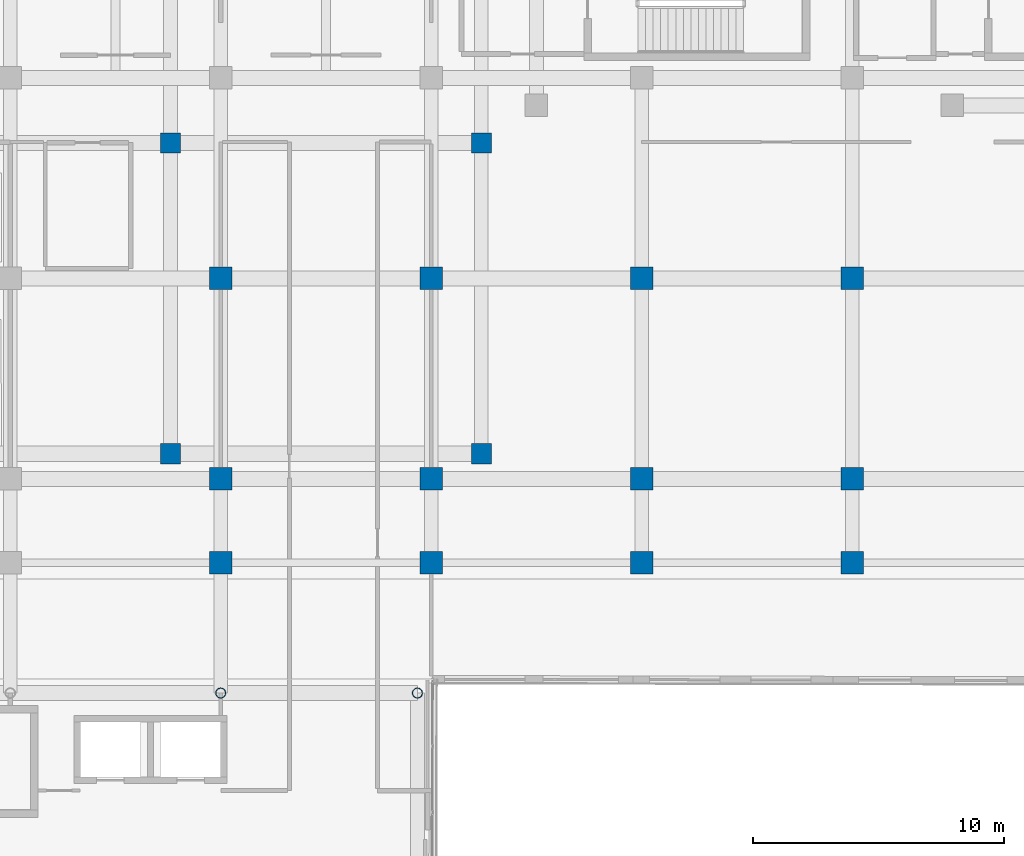
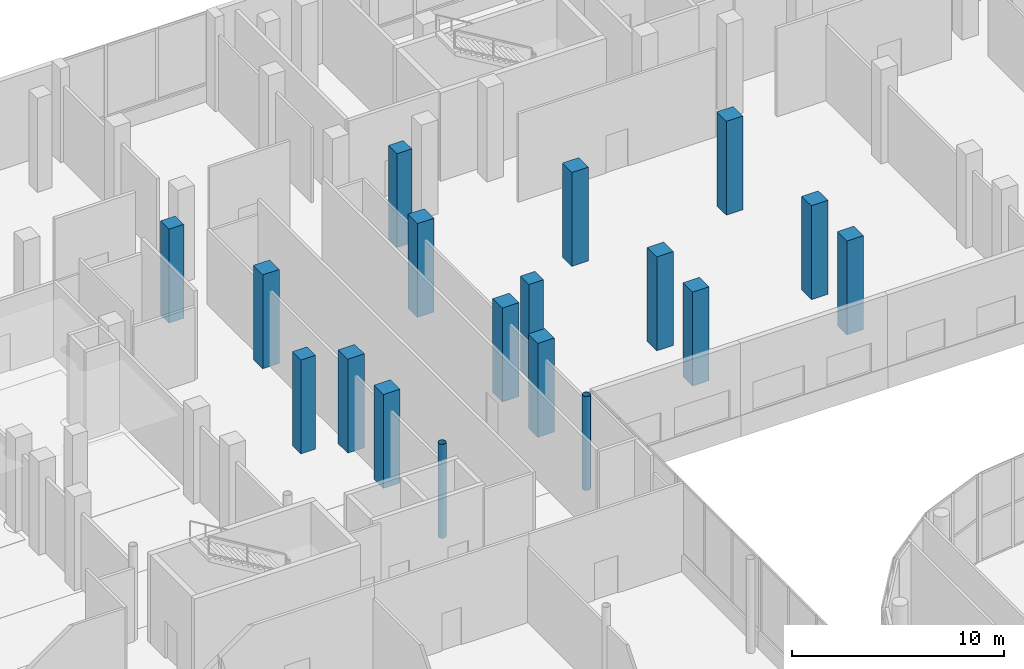
# One storey, part 11 of 158: 18 columns.
"""IFC4 building model written with IfcOpenShell, lengths in metres."""

from ifc_helpers import new_model, si_unit, direction, frame, origin, origin_2d, place, context, subcontext, project, spatial, rectangle, hollow_circle, extrude, material, material_profile, profile_set, type_object, element, save


model = new_model("IFC4")

# Units and contexts
model_context = context("Model", 3, precision=1e-05, world=origin(), true_north=direction((0.0, 1.0)))
body_context = subcontext(model_context, "Body", "Model", "MODEL_VIEW")
ifc_project = project(units=[si_unit("LENGTHUNIT", "METRE"), si_unit("AREAUNIT", "SQUARE_METRE"), si_unit("VOLUMEUNIT", "CUBIC_METRE"), si_unit("PLANEANGLEUNIT", "RADIAN"), si_unit("MASSUNIT", "GRAM", prefix="KILO")], contexts=[model_context])

# Site, building, storey
site_placement = place(None, origin())
site = spatial("IfcSite", under=ifc_project, at=site_placement, CompositionType="ELEMENT")
building_placement = place(site_placement, origin())
building = spatial("IfcBuilding", under=site, at=building_placement, Name="Selatvlak General Hospital", CompositionType="ELEMENT")
storey_placement = place(building_placement, origin())
storey = spatial("IfcBuildingStorey", under=building, at=storey_placement, Name="L00", CompositionType="ELEMENT", Elevation=0.0)

# Columns
ifc_material_1 = material(Name="Steel S355", Category="steel")
ifc_material_profile_1 = material_profile(ifc_material_1, hollow_circle(Radius=0.203125, WallThickness=0.01611328125, at=origin_2d()), Name="CHS 406.4x16")
ifc_profile_set_1 = profile_set([ifc_material_profile_1], Name="Steel S355")
column_type_1 = type_object("IfcColumnType", Name="COL-CHS406", PredefinedType="COLUMN", material=ifc_profile_set_1)
for number, where, z_axis, x_axis, name in (
    (1, (73.199951171875, 83.449951171875, 0.0), (0.0, 0.0, 1.0), (1.0, 0.0, 0.0), "Column 021 on L00"),
    (2, (81.050048828125, 83.449951171875, 0.0), (0.0, 0.0, 1.0), (1.0, 0.0, 0.0), "Column 024 on L00"),
):
    element("IfcColumn", number, at=place(storey_placement, frame(where, z_axis=z_axis, x_axis=x_axis)), inside=storey, type_object=column_type_1, Name=name, PredefinedType="COLUMN", context=body_context, shape_type="SweptSolid", body=[
        extrude(hollow_circle(Radius=0.203125, WallThickness=0.01611328125, at=origin_2d()), origin(), (0.0, 0.0, 1.0), 5.39990234375),
    ])
ifc_material_2 = material(Name="Concrete C50/60", Category="concrete")
ifc_material_profile_2 = material_profile(ifc_material_2, rectangle(XDim=0.800048828125, YDim=0.800048828125, at=origin_2d()), Name="RC-COL 800x800")
ifc_profile_set_2 = profile_set([ifc_material_profile_2], Name="Concrete C50/60")
column_type_2 = type_object("IfcColumnType", Name="COL-RC80", PredefinedType="COLUMN", material=ifc_profile_set_2)
for number, where, z_axis, x_axis, name in (
    (3, (71.199951171875, 93.0, 0.0), (0.0, 0.0, 1.0), (1.0, 0.0, 0.0), "Column 040 on L00"),
    (4, (71.199951171875, 105.39990234375, 0.0), (0.0, 0.0, 1.0), (1.0, 0.0, 0.0), "Column 041 on L00"),
    (5, (83.60009765625, 93.0, 0.0), (0.0, 0.0, 1.0), (1.0, 0.0, 0.0), "Column 043 on L00"),
    (6, (83.60009765625, 105.39990234375, 0.0), (0.0, 0.0, 1.0), (1.0, 0.0, 0.0), "Column 044 on L00"),
):
    element("IfcColumn", number, at=place(storey_placement, frame(where, z_axis=z_axis, x_axis=x_axis)), inside=storey, type_object=column_type_2, Name=name, PredefinedType="COLUMN", context=body_context, shape_type="SweptSolid", body=[
        extrude(rectangle(XDim=0.800048828125, YDim=0.800048828125, at=origin_2d()), origin(), (0.0, 0.0, 1.0), 5.39990234375),
    ])
ifc_material_profile_3 = material_profile(ifc_material_2, rectangle(XDim=0.89990234375, YDim=0.89990234375, at=origin_2d()), Name="RC-COL 900x900")
ifc_profile_set_3 = profile_set([ifc_material_profile_3], Name="Concrete C50/60")
column_type_3 = type_object("IfcColumnType", Name="COL-RC90", PredefinedType="COLUMN", material=ifc_profile_set_3)
for number, where, z_axis, x_axis, name in (
    (7, (73.199951171875, 88.64990234375, 0.0), (0.0, 0.0, 1.0), (1.0, 0.0, 0.0), "Column 192 on L00"),
    (8, (73.199951171875, 92.0, 0.0), (0.0, 0.0, 1.0), (1.0, 0.0, 0.0), "Column 193 on L00"),
    (9, (73.199951171875, 100.0, 0.0), (0.0, 0.0, 1.0), (1.0, 0.0, 0.0), "Column 194 on L00"),
    (10, (81.60009765625, 88.64990234375, 0.0), (0.0, 0.0, 1.0), (1.0, 0.0, 0.0), "Column 201 on L00"),
    (11, (81.60009765625, 92.0, 0.0), (0.0, 0.0, 1.0), (1.0, 0.0, 0.0), "Column 202 on L00"),
    (12, (81.60009765625, 100.0, 0.0), (0.0, 0.0, 1.0), (1.0, 0.0, 0.0), "Column 203 on L00"),
    (13, (90.0, 88.64990234375, 0.0), (0.0, 0.0, 1.0), (1.0, 0.0, 0.0), "Column 210 on L00"),
    (14, (90.0, 92.0, 0.0), (0.0, 0.0, 1.0), (1.0, 0.0, 0.0), "Column 211 on L00"),
    (15, (90.0, 100.0, 0.0), (0.0, 0.0, 1.0), (1.0, 0.0, 0.0), "Column 212 on L00"),
    (16, (98.39990234375, 88.64990234375, 0.0), (0.0, 0.0, 1.0), (1.0, 0.0, 0.0), "Column 218 on L00"),
    (17, (98.39990234375, 92.0, 0.0), (0.0, 0.0, 1.0), (1.0, 0.0, 0.0), "Column 219 on L00"),
    (18, (98.39990234375, 100.0, 0.0), (0.0, 0.0, 1.0), (1.0, 0.0, 0.0), "Column 220 on L00"),
):
    element("IfcColumn", number, at=place(storey_placement, frame(where, z_axis=z_axis, x_axis=x_axis)), inside=storey, type_object=column_type_3, Name=name, PredefinedType="COLUMN", context=body_context, shape_type="SweptSolid", body=[
        extrude(rectangle(XDim=0.89990234375, YDim=0.89990234375, at=origin_2d()), origin(), (0.0, 0.0, 1.0), 5.39990234375),
    ])

save(model, "model.ifc")
